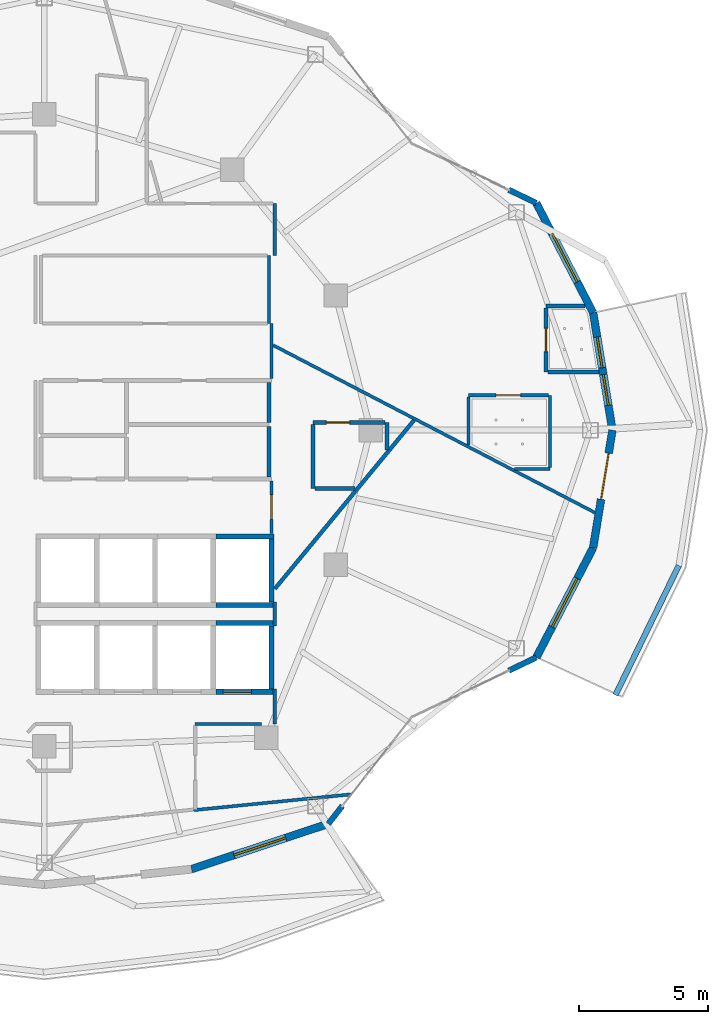
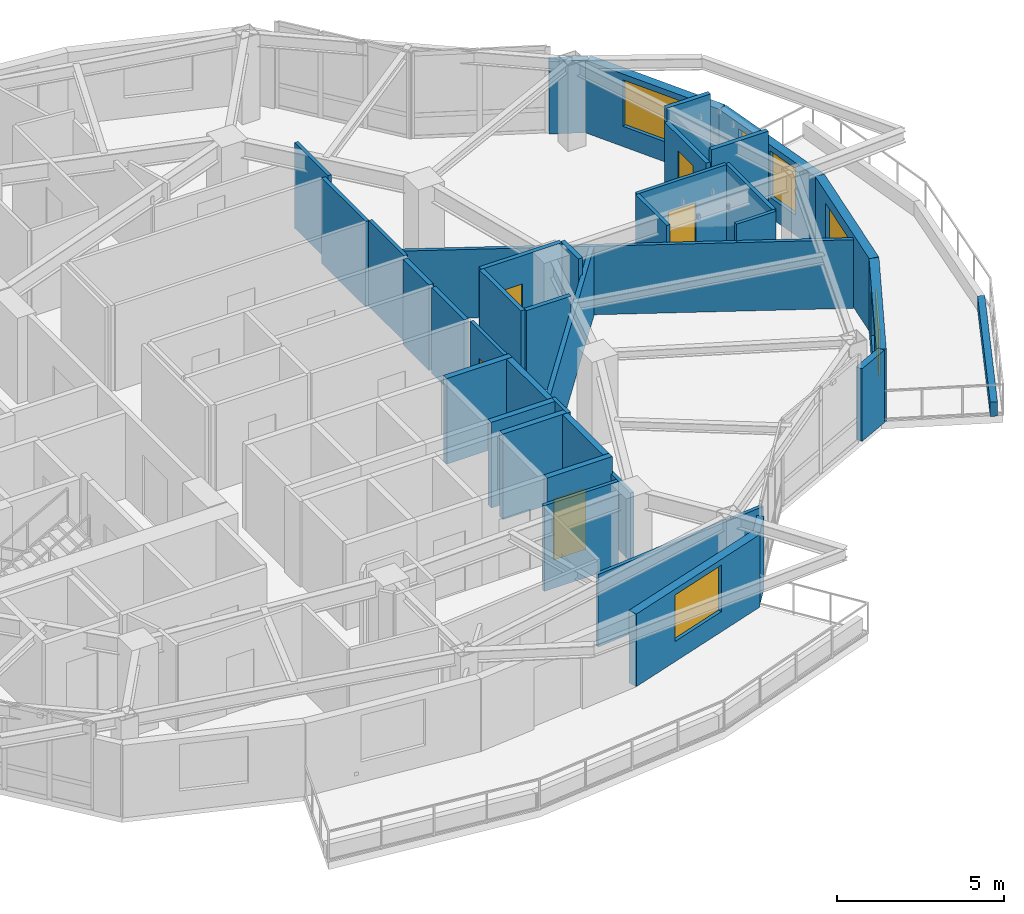
# One storey, part 11 of 18: 38 walls, 6 doors, 5 windows, 11 openings.
"""IFC4 building model written with IfcOpenShell, lengths in metres."""

from ifc_helpers import new_model, si_unit, direction, frame, frame_2d, origin, place, context, subcontext, project, spatial, rectangle, extrude, material, layer, layer_set, type_object, element, fill, save


model = new_model("IFC4")

# Units and contexts
model_context = context("Model", 3, precision=1e-05, world=origin(), true_north=direction((0.0, 1.0)))
body_context = subcontext(model_context, "Body", "Model", "MODEL_VIEW")
ifc_project = project(units=[si_unit("LENGTHUNIT", "METRE"), si_unit("AREAUNIT", "SQUARE_METRE"), si_unit("VOLUMEUNIT", "CUBIC_METRE"), si_unit("PLANEANGLEUNIT", "RADIAN"), si_unit("MASSUNIT", "GRAM", prefix="KILO")], contexts=[model_context])

# Site, building, storey
site_placement = place(None, origin())
site = spatial("IfcSite", under=ifc_project, at=site_placement, CompositionType="ELEMENT")
building_placement = place(site_placement, origin())
building = spatial("IfcBuilding", under=site, at=building_placement, Name="Kolvaren Gate Tower and Convention Centre", CompositionType="ELEMENT")
storey_placement = place(building_placement, frame((0.0, 0.0, 176.699951171875)))
storey = spatial("IfcBuildingStorey", under=building, at=storey_placement, Name="L46", CompositionType="ELEMENT", Elevation=176.699951171875)

# Walls
ifc_material_1 = material(Name="Fire-Rated Acoustic Gypsum Stud Partition", Category="gypsum")
ifc_layer_1 = layer(ifc_material_1, 0.1201171875)
ifc_layer_set_1 = layer_set([ifc_layer_1], Name="Fire-Rated Acoustic Gypsum Stud Partition")
wall_type_1 = type_object("IfcWallType", Name="ARCH-WL-PART-120", PredefinedType="PARTITIONING", material=ifc_layer_set_1)
wall_1_placement = place(storey_placement, frame((38.800048828125, 31.1201171875, 0.0), z_axis=(0.0, 0.0, 1.0), x_axis=(0.0, 1.0, 0.0)))
element("IfcWall", 1, at=wall_1_placement, inside=storey, type_object=wall_type_1, Name="Interior Partition WL-L46-INT-024", PredefinedType="PARTITIONING", context=body_context, shape_type="SweptSolid", body=[
    extrude(rectangle(XDim=2.6298828125, YDim=0.1201171875, at=frame_2d((1.31494140625, 0.0))), origin(), (0.0, 0.0, 1.0), 3.130126953125),
])
wall_2_placement = place(storey_placement, frame((39.02001953125, 15.64990234375, 0.0), z_axis=(0.0, 0.0, 1.0), x_axis=(0.0, 1.0, 0.0)))
element("IfcWall", 2, at=wall_2_placement, inside=storey, type_object=wall_type_1, Name="Interior Partition WL-L46-INT-027", PredefinedType="PARTITIONING", context=body_context, shape_type="SweptSolid", body=[
    extrude(rectangle(XDim=1.360107421875, YDim=0.1201171875, at=frame_2d((0.68017578125, 0.0))), origin(), (0.0, 0.0, 1.0), 2.505126953125),
])
wall_3_placement = place(storey_placement, frame((39.02001953125, 19.43994140625, 0.0), z_axis=(0.0, 0.0, 1.0), x_axis=(0.0, 1.0, 0.0)))
element("IfcWall", 3, at=wall_3_placement, inside=storey, type_object=wall_type_1, Name="Interior Partition WL-L46-INT-027 (2)", PredefinedType="PARTITIONING", context=body_context, shape_type="SweptSolid", body=[
    extrude(rectangle(XDim=0.920166015625, YDim=0.1201171875, at=frame_2d((0.4599609375, 0.0))), origin(), (0.0, 0.0, 1.0), 3.130126953125),
])
wall_4_placement = place(storey_placement, frame((39.02001953125, 33.75, 0.0), z_axis=(0.0, 0.0, 1.0), x_axis=(0.0, 1.0, 0.0)))
element("IfcWall", 4, at=wall_4_placement, inside=storey, type_object=wall_type_1, Name="Interior Partition WL-L46-INT-028", PredefinedType="PARTITIONING", context=body_context, shape_type="SweptSolid", body=[
    extrude(rectangle(XDim=2.0, YDim=0.1201171875, at=frame_2d((1.0, 0.0))), origin(), (0.0, 0.0, 1.0), 3.130126953125),
])
wall_5_placement = place(storey_placement, frame((35.949951171875, 15.64990234375, 0.0), z_axis=(0.0, 0.0, 1.0), x_axis=(1.0, 0.0, 0.0)))
element("IfcWall", 5, at=wall_5_placement, inside=storey, type_object=wall_type_1, Name="Interior Partition WL-L46-INT-030", PredefinedType="PARTITIONING", context=body_context, shape_type="SweptSolid", body=[
    extrude(rectangle(XDim=2.568115234375, YDim=0.1201171875, at=frame_2d((1.2841796875, 0.0))), origin(), (0.0, 0.0, 1.0), 3.130126953125),
])

# Wall, opening, door
wall_6_placement = place(storey_placement, frame((38.89990234375, 23.02001953125, 0.0), z_axis=(0.0, 0.0, 1.0), x_axis=(0.0, 1.0, 0.0)))
wall_6 = element("IfcWall", 6, at=wall_6_placement, inside=storey, type_object=wall_type_1, Name="Interior Partition WL-L46-INT-048", PredefinedType="PARTITIONING", context=body_context, shape_type="SweptSolid", body=[
    extrude(rectangle(XDim=2.02294921875, YDim=0.1201171875, at=frame_2d((1.011474609375, 0.0))), origin(), (0.0, 0.0, 1.0), 3.130126953125),
])
opening_1_placement = place(wall_6_placement, frame((0.53662109375, 0.0, 0.0)))
opening_1 = element("IfcOpeningElement", 7, at=opening_1_placement, cuts=wall_6, Name="Opening DR-01", PredefinedType="OPENING", context=body_context, shape_type="SweptSolid", body=[
    extrude(rectangle(XDim=0.949951171875, YDim=2.10009765625, at=frame_2d((0.47509765625, 1.050048828125))), frame((0.0, 0.070068359375, 0.0), z_axis=(0.0, -1.0, 0.0), x_axis=(1.0, 0.0, 0.0)), (0.0, 0.0, 1.0), 0.14013671875),
])
ifc_material_2 = material(Name="Painted Architectural Steelwork ASTM A500 Grade C 345 MPa", Category="steel")
door_type_1 = type_object("IfcDoorType", Name="ARCH-DR-RISER-950", OperationType="SINGLE_SWING_RIGHT", PredefinedType="DOOR", material=ifc_material_2)
door_1_placement = place(opening_1_placement, origin())
door_1 = element("IfcDoor", 8, at=door_1_placement, inside=storey, type_object=door_type_1, Name="Deluxe Hotel Suite (HTL-L46-04) Door", OperationType="SINGLE_SWING_RIGHT", OverallHeight=2.10009765625, OverallWidth=0.949951171875, PredefinedType="DOOR", context=body_context, shape_type="SweptSolid", body=[
    extrude(rectangle(XDim=0.949951171875, YDim=2.10009765625, at=frame_2d((0.47509765625, 1.050048828125))), frame((0.0, 0.02490234375, 0.0), z_axis=(0.0, -1.0, 0.0), x_axis=(1.0, 0.0, 0.0)), (0.0, 0.0, 1.0), 0.050048828125),
])
fill(opening_1, door_1)

# Walls
wall_7_placement = place(storey_placement, frame((38.89990234375, 28.9970703125, 0.0), z_axis=(0.0, 0.0, 1.0), x_axis=(0.0, 1.0, 0.0)))
element("IfcWall", 9, at=wall_7_placement, inside=storey, type_object=wall_type_1, Name="Interior Partition WL-L46-INT-049", PredefinedType="PARTITIONING", context=body_context, shape_type="SweptSolid", body=[
    extrude(rectangle(XDim=2.123046875, YDim=0.1201171875, at=frame_2d((1.0615234375, 0.0))), origin(), (0.0, 0.0, 1.0), 3.130126953125),
])
wall_8_placement = place(storey_placement, frame((38.9619140625, 30.28076171875, 0.0), z_axis=(0.0, 0.0, 1.0), x_axis=(0.887114590422, -0.461549242725, 0.0)))
element("IfcWall", 10, at=wall_8_placement, inside=storey, type_object=wall_type_1, Name="Interior Partition WL-L46-INT-055", PredefinedType="PARTITIONING", context=body_context, shape_type="SweptSolid", body=[
    extrude(rectangle(XDim=14.003662109375, YDim=0.1201171875, at=frame_2d((7.001953125, 0.0))), origin(), (0.0, 0.0, 1.0), 2.505126953125),
])
wall_9_placement = place(storey_placement, frame((35.890380859375, 12.327880859375, 0.0), z_axis=(0.0, 0.0, 1.0), x_axis=(0.995010176036, 0.099773491395, 0.0)))
element("IfcWall", 11, at=wall_9_placement, inside=storey, type_object=wall_type_1, Name="Interior Partition WL-L46-INT-058", PredefinedType="PARTITIONING", context=body_context, shape_type="SweptSolid", body=[
    extrude(rectangle(XDim=6.093017578125, YDim=0.1201171875, at=frame_2d((3.04638671875, 0.0))), origin(), (0.0, 0.0, 1.0), 2.653076171875),
])
wall_10_placement = place(storey_placement, frame((48.28515625, 25.5, 0.0), z_axis=(0.0, 0.0, 1.0), x_axis=(1.0, 0.0, 0.0)))
element("IfcWall", 12, at=wall_10_placement, inside=storey, type_object=wall_type_1, Name="Interior Partition WL-L46-INT-066", PredefinedType="PARTITIONING", context=body_context, shape_type="SweptSolid", body=[
    extrude(rectangle(XDim=1.36474609375, YDim=0.1201171875, at=frame_2d((0.682373046875, 0.0))), origin(), (0.0, 0.0, 1.0), 3.130126953125),
])
wall_11_placement = place(storey_placement, frame((49.64990234375, 25.56201171875, 0.0), z_axis=(0.0, 0.0, 1.0), x_axis=(0.0, 1.0, 0.0)))
element("IfcWall", 13, at=wall_11_placement, inside=storey, type_object=wall_type_1, Name="Interior Partition WL-L46-INT-067", PredefinedType="PARTITIONING", context=body_context, shape_type="SweptSolid", body=[
    extrude(rectangle(XDim=2.7880859375, YDim=0.1201171875, at=frame_2d((1.39404296875, 0.0))), origin(), (0.0, 0.0, 1.0), 3.130126953125),
])

# Wall, opening, door
wall_12_placement = place(storey_placement, frame((46.5, 28.35009765625, 0.0), z_axis=(0.0, 0.0, 1.0), x_axis=(1.0, 0.0, 0.0)))
wall_12 = element("IfcWall", 14, at=wall_12_placement, inside=storey, type_object=wall_type_1, Name="Interior Partition WL-L46-INT-068", PredefinedType="PARTITIONING", context=body_context, shape_type="SweptSolid", body=[
    extrude(rectangle(XDim=3.087890625, YDim=0.1201171875, at=frame_2d((1.5439453125, 0.0))), origin(), (0.0, 0.0, 1.0), 3.130126953125),
])
opening_2_placement = place(wall_12_placement, frame((1.069091796875, 0.0, 0.0)))
opening_2 = element("IfcOpeningElement", 15, at=opening_2_placement, cuts=wall_12, Name="Opening DI-01", PredefinedType="OPENING", context=body_context, shape_type="SweptSolid", body=[
    extrude(rectangle(XDim=0.949951171875, YDim=2.10009765625, at=frame_2d((0.47509765625, 1.050048828125))), frame((0.0, 0.070068359375, 0.0), z_axis=(0.0, -1.0, 0.0), x_axis=(1.0, 0.0, 0.0)), (0.0, 0.0, 1.0), 0.14013671875),
])
ifc_material_3 = material(Name="FSC Andean Oak Engineered Veneer Door Leaf", Category="wood")
door_type_2 = type_object("IfcDoorType", Name="ARCH-DR-INT-950", OperationType="SINGLE_SWING_LEFT", PredefinedType="DOOR", material=ifc_material_3)
door_2_placement = place(opening_2_placement, origin())
door_2 = element("IfcDoor", 16, at=door_2_placement, inside=storey, type_object=door_type_2, Name="Suite Principal Bedroom (HTL-L46-05) Door", OperationType="SINGLE_SWING_RIGHT", OverallHeight=2.10009765625, OverallWidth=0.949951171875, PredefinedType="DOOR", context=body_context, shape_type="SweptSolid", body=[
    extrude(rectangle(XDim=0.949951171875, YDim=2.10009765625, at=frame_2d((0.47509765625, 1.050048828125))), frame((0.0, 0.02490234375, 0.0), z_axis=(0.0, -1.0, 0.0), x_axis=(1.0, 0.0, 0.0)), (0.0, 0.0, 1.0), 0.050048828125),
])
fill(opening_2, door_2)

# Walls
wall_13_placement = place(storey_placement, frame((46.5, 26.4287109375, 0.0), z_axis=(0.0, 0.0, 1.0), x_axis=(0.0, 1.0, 0.0)))
element("IfcWall", 17, at=wall_13_placement, inside=storey, type_object=wall_type_1, Name="Interior Partition WL-L46-INT-069", PredefinedType="PARTITIONING", context=body_context, shape_type="SweptSolid", body=[
    extrude(rectangle(XDim=1.859375, YDim=0.1201171875, at=frame_2d((0.9296875, 0.0))), origin(), (0.0, 0.0, 1.0), 3.130126953125),
])
ifc_material_4 = material(Name="Bogota Sabana Bush-Hammered Sandstone Cladding", Category="masonry")
ifc_layer_2 = layer(ifc_material_4, 0.219970703125)
ifc_layer_set_2 = layer_set([ifc_layer_2], Name="Bogota Sabana Bush-Hammered Sandstone Cladding")
wall_type_2 = type_object("IfcWallType", Name="ARCH-WL-PIER-220", PredefinedType="SOLIDWALL", material=ifc_layer_set_2)
wall_14_placement = place(storey_placement, frame((48.05859375, 36.28662109375, 0.0), z_axis=(0.0, 0.0, 1.0), x_axis=(0.901303636532, -0.433187897769, 0.0)))
element("IfcWall", 18, at=wall_14_placement, inside=storey, type_object=wall_type_2, Name="Tower L46 Unitised Curtain Wall CW-HTL-UNIT Bay 02 Right Column Pier Wrap", PredefinedType="SOLIDWALL", context=body_context, shape_type="SweptSolid", body=[
    extrude(rectangle(XDim=1.181396484375, YDim=0.219970703125, at=frame_2d((0.5908203125, 0.0))), origin(), (0.0, 0.0, 1.0), 2.653076171875),
])
wall_15_placement = place(storey_placement, frame((41.09375, 11.80126953125, 0.0), z_axis=(0.0, 0.0, 1.0), x_axis=(0.616368366719, 0.787457958566, 0.0)))
element("IfcWall", 19, at=wall_15_placement, inside=storey, type_object=wall_type_2, Name="Tower L46 Unitised Curtain Wall CW-HTL-UNIT Bay 20 Left Column Pier Wrap", PredefinedType="SOLIDWALL", context=body_context, shape_type="SweptSolid", body=[
    extrude(rectangle(XDim=0.876220703125, YDim=0.219970703125, at=frame_2d((0.43798828125, 0.0))), origin(), (0.0, 0.0, 1.0), 2.653076171875),
])
wall_16_placement = place(storey_placement, frame((48.05859375, 17.71337890625, 0.0), z_axis=(0.0, 0.0, 1.0), x_axis=(0.901303636532, 0.433187897769, 0.0)))
element("IfcWall", 20, at=wall_16_placement, inside=storey, type_object=wall_type_2, Name="Tower L46 Unitised Curtain Wall CW-HTL-UNIT Bay 21 Right Column Pier Wrap", PredefinedType="SOLIDWALL", context=body_context, shape_type="SweptSolid", body=[
    extrude(rectangle(XDim=1.181396484375, YDim=0.219970703125, at=frame_2d((0.5908203125, 0.0))), origin(), (0.0, 0.0, 1.0), 2.653076171875),
])
ifc_material_5 = material(Name="Piedmont Cream Honed Limestone Cladding", Category="masonry")
ifc_layer_3 = layer(ifc_material_5, 0.219970703125)
ifc_layer_set_3 = layer_set([ifc_layer_3], Name="Piedmont Cream Honed Limestone Cladding")
wall_type_3 = type_object("IfcWallType", Name="ARCH-WL-PLANTER-220", PredefinedType="PARAPET", material=ifc_layer_set_3)
wall_17_placement = place(storey_placement, frame((52.180419921875, 16.778564453125, 0.0), z_axis=(0.0, 0.0, 1.0), x_axis=(0.439637174641, 0.898175458735, 0.0)))
element("IfcWall", 21, at=wall_17_placement, inside=storey, type_object=wall_type_3, Name="Vertical-Forest Balcony Stone Planter Kerb PK-L46-4.1", PredefinedType="PARAPET", context=body_context, shape_type="SweptSolid", body=[
    extrude(rectangle(XDim=5.567138671875, YDim=0.219970703125, at=frame_2d((2.78369140625, 0.0))), origin(), (0.0, 0.0, 1.0), 0.52001953125),
])
ifc_material_6 = material(Name="Autoclaved Aerated Masonry Blockwork Class 4 (4.0 MPa)", Category="masonry")
ifc_layer_4 = layer(ifc_material_6, 0.199951171875)
ifc_layer_set_4 = layer_set([ifc_layer_4], Name="Autoclaved Aerated Masonry Blockwork Class 4 (4.0 MPa)")
wall_type_4 = type_object("IfcWallType", Name="ARCH-WL-SHAFT-200", PredefinedType="SOLIDWALL", material=ifc_layer_set_4)
wall_18_placement = place(storey_placement, frame((36.75, 19.550048828125, 0.0), z_axis=(0.0, 0.0, 1.0), x_axis=(1.0, 0.0, 0.0)))
element("IfcWall", 22, at=wall_18_placement, inside=storey, type_object=wall_type_4, Name="Elevator PL-08 L46 Fire Shaft Wall N", PredefinedType="SOLIDWALL", context=body_context, shape_type="SweptSolid", body=[
    extrude(rectangle(XDim=2.25, YDim=0.199951171875, at=frame_2d((1.125, 0.0))), origin(), (0.0, 0.0, 1.0), 3.130126953125),
])

# Wall, opening, door
wall_19_placement = place(storey_placement, frame((36.75, 16.89990234375, 0.0), z_axis=(0.0, 0.0, 1.0), x_axis=(1.0, 0.0, 0.0)))
wall_19 = element("IfcWall", 23, at=wall_19_placement, inside=storey, type_object=wall_type_4, Name="Elevator PL-08 L46 Fire Shaft Wall S", PredefinedType="SOLIDWALL", context=body_context, shape_type="SweptSolid", body=[
    extrude(rectangle(XDim=2.25, YDim=0.199951171875, at=frame_2d((1.125, 0.0))), origin(), (0.0, 0.0, 1.0), 3.130126953125),
])
opening_3_placement = place(wall_19_placement, frame((0.280029296875, 0.0, 0.0)))
opening_3 = element("IfcOpeningElement", 24, at=opening_3_placement, cuts=wall_19, Name="Opening LD", PredefinedType="OPENING", context=body_context, shape_type="SweptSolid", body=[
    extrude(rectangle(XDim=1.10009765625, YDim=2.199951171875, at=frame_2d((0.550048828125, 1.10009765625))), frame((0.0, 0.10986328125, 0.0), z_axis=(0.0, -1.0, 0.0), x_axis=(1.0, 0.0, 0.0)), (0.0, 0.0, 1.0), 0.219970703125),
])
ifc_material_7 = material(Name="Brushed Stainless Steel Grade 316L", Category="steel")
door_type_3 = type_object("IfcDoorType", Name="ARCH-DR-LIFT-1100", OperationType="SLIDING_TO_LEFT", PredefinedType="DOOR", material=ifc_material_7)
door_3_placement = place(opening_3_placement, origin())
door_3 = element("IfcDoor", 25, at=door_3_placement, inside=storey, type_object=door_type_3, Name="Elevator PL-08 L46 Sliding Landing Door", OperationType="SLIDING_TO_LEFT", OverallHeight=2.199951171875, OverallWidth=1.10009765625, PredefinedType="DOOR", context=body_context, shape_type="SweptSolid", body=[
    extrude(rectangle(XDim=1.10009765625, YDim=2.199951171875, at=frame_2d((0.550048828125, 1.10009765625))), frame((0.0, 0.02490234375, 0.0), z_axis=(0.0, -1.0, 0.0), x_axis=(1.0, 0.0, 0.0)), (0.0, 0.0, 1.0), 0.050048828125),
])
fill(opening_3, door_3)

# Walls
wall_20_placement = place(storey_placement, frame((38.89990234375, 17.010009765625, 0.0), z_axis=(0.0, 0.0, 1.0), x_axis=(0.0, 1.0, 0.0)))
element("IfcWall", 26, at=wall_20_placement, inside=storey, type_object=wall_type_4, Name="Elevator PL-08 L46 Fire Shaft Wall E", PredefinedType="SOLIDWALL", context=body_context, shape_type="SweptSolid", body=[
    extrude(rectangle(XDim=2.429931640625, YDim=0.199951171875, at=frame_2d((1.21484375, 0.0))), origin(), (0.0, 0.0, 1.0), 3.130126953125),
])
for number, where, z_axis, x_axis, name in (
    (27, (36.75, 22.89990234375, 0.0), (0.0, 0.0, 1.0), (1.0, 0.0, 0.0), "Elevator PL-12 L46 Fire Shaft Wall N"),
    (28, (36.75, 20.25, 0.0), (0.0, 0.0, 1.0), (1.0, 0.0, 0.0), "Elevator PL-12 L46 Fire Shaft Wall S"),
):
    element("IfcWall", number, at=place(storey_placement, frame(where, z_axis=z_axis, x_axis=x_axis)), inside=storey, type_object=wall_type_4, Name=name, PredefinedType="SOLIDWALL", context=body_context, shape_type="SweptSolid", body=[
        extrude(rectangle(XDim=2.25, YDim=0.199951171875, at=frame_2d((1.125, 0.0))), origin(), (0.0, 0.0, 1.0), 3.130126953125),
    ])
wall_21_placement = place(storey_placement, frame((38.89990234375, 20.360107421875, 0.0), z_axis=(0.0, 0.0, 1.0), x_axis=(0.0, 1.0, 0.0)))
element("IfcWall", 29, at=wall_21_placement, inside=storey, type_object=wall_type_4, Name="Elevator PL-12 L46 Fire Shaft Wall E", PredefinedType="SOLIDWALL", context=body_context, shape_type="SweptSolid", body=[
    extrude(rectangle(XDim=2.429931640625, YDim=0.199951171875, at=frame_2d((1.21484375, 0.0))), origin(), (0.0, 0.0, 1.0), 3.130126953125),
])

# Wall, openings, windows
ifc_layer_5 = layer(ifc_material_5, 0.300048828125)
ifc_layer_set_5 = layer_set([ifc_layer_5], Name="Piedmont Cream Honed Limestone Cladding")
wall_type_5 = type_object("IfcWallType", Name="ARCH-WL-STONE-300", PredefinedType="SOLIDWALL", material=ifc_layer_set_5)
wall_22_placement = place(storey_placement, frame((51.31494140625, 31.542236328125, 0.0), z_axis=(0.0, 0.0, 1.0), x_axis=(0.162394765401, -0.986725868806, 0.0)))
wall_22 = element("IfcWall", 30, at=wall_22_placement, inside=storey, type_object=wall_type_5, Name="Tower L46 Honed Stone Spandrel Wall EW-00", PredefinedType="SOLIDWALL", context=body_context, shape_type="SweptSolid", body=[
    extrude(rectangle(XDim=4.603271484375, YDim=0.300048828125, at=frame_2d((2.3017578125, 0.0))), origin(), (0.0, 0.0, 1.0), 2.653076171875),
])
opening_4_placement = place(wall_22_placement, frame((0.957763671875, 0.0, 0.739990234375)))
opening_4 = element("IfcOpeningElement", 31, at=opening_4_placement, cuts=wall_22, Name="Opening W-04", PredefinedType="OPENING", context=body_context, shape_type="SweptSolid", body=[
    extrude(rectangle(XDim=1.199951171875, YDim=1.699951171875, at=frame_2d((0.60009765625, 0.85009765625))), frame((0.0, 0.159912109375, 0.0), z_axis=(0.0, -1.0, 0.0), x_axis=(1.0, 0.0, 0.0)), (0.0, 0.0, 1.0), 0.320068359375),
])
opening_5_placement = place(wall_22_placement, frame((2.427978515625, 0.0, 0.739990234375)))
opening_5 = element("IfcOpeningElement", 32, at=opening_5_placement, cuts=wall_22, Name="Opening W-04", PredefinedType="OPENING", context=body_context, shape_type="SweptSolid", body=[
    extrude(rectangle(XDim=1.199951171875, YDim=1.699951171875, at=frame_2d((0.60009765625, 0.85009765625))), frame((0.0, 0.159912109375, 0.0), z_axis=(0.0, -1.0, 0.0), x_axis=(1.0, 0.0, 0.0)), (0.0, 0.0, 1.0), 0.320068359375),
])
ifc_material_8 = material(Name="Low-E Triple Insulated Glazing Unit 44 mm", Category="glass")
window_type_1 = type_object("IfcWindowType", Name="ARCH-WN-NARROW-1200", PartitioningType="SINGLE_PANEL", PredefinedType="WINDOW", material=ifc_material_8)
window_1_placement = place(opening_4_placement, origin())
window_1 = element("IfcWindow", 33, at=window_1_placement, inside=storey, type_object=window_type_1, Name="Tower L46 Punched Stone Facade Window W-00", OverallHeight=1.699951171875, OverallWidth=1.199951171875, PartitioningType="SINGLE_PANEL", PredefinedType="WINDOW", context=body_context, shape_type="SweptSolid", body=[
    extrude(rectangle(XDim=1.199951171875, YDim=1.699951171875, at=frame_2d((0.60009765625, 0.85009765625))), frame((0.0, 0.030029296875, 0.0), z_axis=(0.0, -1.0, 0.0), x_axis=(1.0, 0.0, 0.0)), (0.0, 0.0, 1.0), 0.06005859375),
])
fill(opening_4, window_1)
window_2_placement = place(opening_5_placement, origin())
window_2 = element("IfcWindow", 34, at=window_2_placement, inside=storey, type_object=window_type_1, Name="Tower L46 Punched Stone Facade Window W-00B", OverallHeight=1.699951171875, OverallWidth=1.199951171875, PartitioningType="SINGLE_PANEL", PredefinedType="WINDOW", context=body_context, shape_type="SweptSolid", body=[
    extrude(rectangle(XDim=1.199951171875, YDim=1.699951171875, at=frame_2d((0.60009765625, 0.85009765625))), frame((0.0, 0.030029296875, 0.0), z_axis=(0.0, -1.0, 0.0), x_axis=(1.0, 0.0, 0.0)), (0.0, 0.0, 1.0), 0.06005859375),
])
fill(opening_5, window_2)

# Wall, opening, window
wall_23_placement = place(storey_placement, frame((49.123291015625, 35.77490234375, 0.0), z_axis=(0.0, 0.0, 1.0), x_axis=(0.459810251451, -0.888017191647, 0.0)))
wall_23 = element("IfcWall", 35, at=wall_23_placement, inside=storey, type_object=wall_type_5, Name="Tower L46 Honed Stone Spandrel Wall EW-01", PredefinedType="SOLIDWALL", context=body_context, shape_type="SweptSolid", body=[
    extrude(rectangle(XDim=4.766357421875, YDim=0.300048828125, at=frame_2d((2.38330078125, 0.0))), origin(), (0.0, 0.0, 1.0), 2.653076171875),
])
opening_6_placement = place(wall_23_placement, frame((1.3330078125, 0.0, 0.739990234375)))
opening_6 = element("IfcOpeningElement", 36, at=opening_6_placement, cuts=wall_23, Name="Opening W-02", PredefinedType="OPENING", context=body_context, shape_type="SweptSolid", body=[
    extrude(rectangle(XDim=2.10009765625, YDim=1.699951171875, at=frame_2d((1.050048828125, 0.85009765625))), frame((0.0, 0.159912109375, 0.0), z_axis=(0.0, -1.0, 0.0), x_axis=(1.0, 0.0, 0.0)), (0.0, 0.0, 1.0), 0.320068359375),
])
window_type_2 = type_object("IfcWindowType", Name="ARCH-WN-HTL-2100", PartitioningType="SINGLE_PANEL", PredefinedType="WINDOW", material=ifc_material_8)
window_3_placement = place(opening_6_placement, origin())
window_3 = element("IfcWindow", 37, at=window_3_placement, inside=storey, type_object=window_type_2, Name="Tower L46 Punched Stone Facade Window W-01", OverallHeight=1.699951171875, OverallWidth=2.10009765625, PartitioningType="SINGLE_PANEL", PredefinedType="WINDOW", context=body_context, shape_type="SweptSolid", body=[
    extrude(rectangle(XDim=2.10009765625, YDim=1.699951171875, at=frame_2d((1.050048828125, 0.85009765625))), frame((0.0, 0.030029296875, 0.0), z_axis=(0.0, -1.0, 0.0), x_axis=(1.0, 0.0, 0.0)), (0.0, 0.0, 1.0), 0.06005859375),
])
fill(opening_6, window_3)

wall_24_placement = place(storey_placement, frame((35.802734375, 10.048095703125, 0.0), z_axis=(0.0, 0.0, 1.0), x_axis=(0.949246811547, 0.314532177636, 0.0)))
wall_24 = element("IfcWall", 38, at=wall_24_placement, inside=storey, type_object=wall_type_5, Name="Tower L46 Honed Stone Spandrel Wall EW-19", PredefinedType="SOLIDWALL", context=body_context, shape_type="SweptSolid", body=[
    extrude(rectangle(XDim=5.573974609375, YDim=0.300048828125, at=frame_2d((2.787109375, 0.0))), origin(), (0.0, 0.0, 1.0), 2.653076171875),
])
opening_7_placement = place(wall_24_placement, frame((1.737060546875, 0.0, 0.739990234375)))
opening_7 = element("IfcOpeningElement", 39, at=opening_7_placement, cuts=wall_24, Name="Opening W-02", PredefinedType="OPENING", context=body_context, shape_type="SweptSolid", body=[
    extrude(rectangle(XDim=2.10009765625, YDim=1.699951171875, at=frame_2d((1.050048828125, 0.85009765625))), frame((0.0, 0.159912109375, 0.0), z_axis=(0.0, -1.0, 0.0), x_axis=(1.0, 0.0, 0.0)), (0.0, 0.0, 1.0), 0.320068359375),
])
window_4_placement = place(opening_7_placement, origin())
window_4 = element("IfcWindow", 40, at=window_4_placement, inside=storey, type_object=window_type_2, Name="Tower L46 Punched Stone Facade Window W-19", OverallHeight=1.699951171875, OverallWidth=2.10009765625, PartitioningType="SINGLE_PANEL", PredefinedType="WINDOW", context=body_context, shape_type="SweptSolid", body=[
    extrude(rectangle(XDim=2.10009765625, YDim=1.699951171875, at=frame_2d((1.050048828125, 0.85009765625))), frame((0.0, 0.030029296875, 0.0), z_axis=(0.0, -1.0, 0.0), x_axis=(1.0, 0.0, 0.0)), (0.0, 0.0, 1.0), 0.06005859375),
])
fill(opening_7, window_4)

wall_25_placement = place(storey_placement, frame((49.123291015625, 18.22509765625, 0.0), z_axis=(0.0, 0.0, 1.0), x_axis=(0.459810251451, 0.888017191647, 0.0)))
wall_25 = element("IfcWall", 41, at=wall_25_placement, inside=storey, type_object=wall_type_5, Name="Tower L46 Honed Stone Spandrel Wall EW-22", PredefinedType="SOLIDWALL", context=body_context, shape_type="SweptSolid", body=[
    extrude(rectangle(XDim=4.766357421875, YDim=0.300048828125, at=frame_2d((2.38330078125, 0.0))), origin(), (0.0, 0.0, 1.0), 2.653076171875),
])
opening_8_placement = place(wall_25_placement, frame((1.3330078125, 0.0, 0.739990234375)))
opening_8 = element("IfcOpeningElement", 42, at=opening_8_placement, cuts=wall_25, Name="Opening W-02", PredefinedType="OPENING", context=body_context, shape_type="SweptSolid", body=[
    extrude(rectangle(XDim=2.10009765625, YDim=1.699951171875, at=frame_2d((1.050048828125, 0.85009765625))), frame((0.0, 0.159912109375, 0.0), z_axis=(0.0, -1.0, 0.0), x_axis=(1.0, 0.0, 0.0)), (0.0, 0.0, 1.0), 0.320068359375),
])
window_5_placement = place(opening_8_placement, origin())
window_5 = element("IfcWindow", 43, at=window_5_placement, inside=storey, type_object=window_type_2, Name="Tower L46 Punched Stone Facade Window W-22", OverallHeight=1.699951171875, OverallWidth=2.10009765625, PartitioningType="SINGLE_PANEL", PredefinedType="WINDOW", context=body_context, shape_type="SweptSolid", body=[
    extrude(rectangle(XDim=2.10009765625, YDim=1.699951171875, at=frame_2d((1.050048828125, 0.85009765625))), frame((0.0, 0.030029296875, 0.0), z_axis=(0.0, -1.0, 0.0), x_axis=(1.0, 0.0, 0.0)), (0.0, 0.0, 1.0), 0.06005859375),
])
fill(opening_8, window_5)

# Wall, opening, door
wall_26_placement = place(storey_placement, frame((51.31494140625, 22.457763671875, 0.0), z_axis=(0.0, 0.0, 1.0), x_axis=(0.162394765401, 0.986725868806, 0.0)))
wall_26 = element("IfcWall", 44, at=wall_26_placement, inside=storey, type_object=wall_type_5, Name="Tower L46 Honed Stone Spandrel Wall EW-23", PredefinedType="SOLIDWALL", context=body_context, shape_type="SweptSolid", body=[
    extrude(rectangle(XDim=4.603271484375, YDim=0.300048828125, at=frame_2d((2.3017578125, 0.0))), origin(), (0.0, 0.0, 1.0), 2.653076171875),
])
opening_9_placement = place(wall_26_placement, frame((1.89990234375, 0.0, 0.0)))
opening_9 = element("IfcOpeningElement", 45, at=opening_9_placement, cuts=wall_26, Name="Opening DB-01", PredefinedType="OPENING", context=body_context, shape_type="SweptSolid", body=[
    extrude(rectangle(XDim=1.800048828125, YDim=2.25, at=frame_2d((0.89990234375, 1.125))), frame((0.0, 0.159912109375, 0.0), z_axis=(0.0, -1.0, 0.0), x_axis=(1.0, 0.0, 0.0)), (0.0, 0.0, 1.0), 0.320068359375),
])
ifc_material_9 = material(Name="Anodized Architectural Aluminium Alloy 6063-T6", Category="aluminium")
door_type_4 = type_object("IfcDoorType", Name="ARCH-DR-BALC-1800", OperationType="SLIDING_TO_LEFT", PredefinedType="DOOR", material=ifc_material_9)
door_4_placement = place(opening_9_placement, frame((1.800048828125, 0.0, 0.0), z_axis=(0.0, 0.0, 1.0), x_axis=(-1.0, 0.0, 0.0)))
door_4 = element("IfcDoor", 46, at=door_4_placement, inside=storey, type_object=door_type_4, Name="Planted Sky Terrace Access Door DB-L46-23", OperationType="SLIDING_TO_LEFT", OverallHeight=2.25, OverallWidth=1.800048828125, PredefinedType="DOOR", context=body_context, shape_type="SweptSolid", body=[
    extrude(rectangle(XDim=1.800048828125, YDim=2.25, at=frame_2d((0.89990234375, 1.125))), frame((0.0, 0.02490234375, 0.0), z_axis=(0.0, -1.0, 0.0), x_axis=(1.0, 0.0, 0.0)), (0.0, 0.0, 1.0), 0.050048828125),
])
fill(opening_9, door_4)

# Walls
ifc_material_10 = material(Name="Moisture-Resistant Cement-Board Acoustic Partition", Category="gypsum")
ifc_layer_6 = layer(ifc_material_10, 0.14990234375)
ifc_layer_set_6 = layer_set([ifc_layer_6], Name="Moisture-Resistant Cement-Board Acoustic Partition")
wall_type_6 = type_object("IfcWallType", Name="ARCH-WL-WET-150", PredefinedType="PARTITIONING", material=ifc_layer_set_6)
wall_27_placement = place(storey_placement, frame((38.800048828125, 25.197021484375, 0.0), z_axis=(0.0, 0.0, 1.0), x_axis=(0.0, 1.0, 0.0)))
element("IfcWall", 47, at=wall_27_placement, inside=storey, type_object=wall_type_6, Name="Interior Partition WL-L46-INT-023", PredefinedType="PARTITIONING", context=body_context, shape_type="SweptSolid", body=[
    extrude(rectangle(XDim=1.946044921875, YDim=0.14990234375, at=frame_2d((0.97314453125, 0.0))), origin(), (0.0, 0.0, 1.0), 3.130126953125),
])
wall_28_placement = place(storey_placement, frame((38.800048828125, 27.297119140625, 0.0), z_axis=(0.0, 0.0, 1.0), x_axis=(0.0, 1.0, 0.0)))
element("IfcWall", 48, at=wall_28_placement, inside=storey, type_object=wall_type_6, Name="Interior Partition WL-L46-INT-023 (2)", PredefinedType="PARTITIONING", context=body_context, shape_type="SweptSolid", body=[
    extrude(rectangle(XDim=1.5458984375, YDim=0.14990234375, at=frame_2d((0.77294921875, 0.0))), origin(), (0.0, 0.0, 1.0), 3.130126953125),
])
wall_29_placement = place(storey_placement, frame((39.0234375, 20.874267578125, 0.0), z_axis=(0.0, 0.0, 1.0), x_axis=(0.636698291185, 0.771113017658, 0.0)))
element("IfcWall", 49, at=wall_29_placement, inside=storey, type_object=wall_type_6, Name="Interior Partition WL-L46-INT-057", PredefinedType="PARTITIONING", context=body_context, shape_type="SweptSolid", body=[
    extrude(rectangle(XDim=8.4404296875, YDim=0.14990234375, at=frame_2d((4.22021484375, 0.0))), origin(), (0.0, 0.0, 1.0), 2.505126953125),
])
wall_30_placement = place(storey_placement, frame((43.35009765625, 26.2353515625, 0.0), z_axis=(0.0, 0.0, 1.0), x_axis=(0.0, 1.0, 0.0)))
element("IfcWall", 50, at=wall_30_placement, inside=storey, type_object=wall_type_6, Name="Interior Partition WL-L46-INT-059", PredefinedType="PARTITIONING", context=body_context, shape_type="SweptSolid", body=[
    extrude(rectangle(XDim=1.064697265625, YDim=0.14990234375, at=frame_2d((0.5322265625, 0.0))), origin(), (0.0, 0.0, 1.0), 3.130126953125),
])

# Wall, opening, door
wall_31_placement = place(storey_placement, frame((40.5, 27.300048828125, 0.0), z_axis=(0.0, 0.0, 1.0), x_axis=(1.0, 0.0, 0.0)))
wall_31 = element("IfcWall", 51, at=wall_31_placement, inside=storey, type_object=wall_type_6, Name="Interior Partition WL-L46-INT-060", PredefinedType="PARTITIONING", context=body_context, shape_type="SweptSolid", body=[
    extrude(rectangle(XDim=2.77294921875, YDim=0.14990234375, at=frame_2d((1.386474609375, 0.0))), origin(), (0.0, 0.0, 1.0), 3.130126953125),
])
opening_10_placement = place(wall_31_placement, frame((0.5166015625, 0.0, 0.0)))
opening_10 = element("IfcOpeningElement", 52, at=opening_10_placement, cuts=wall_31, Name="Opening DW-01", PredefinedType="OPENING", context=body_context, shape_type="SweptSolid", body=[
    extrude(rectangle(XDim=0.89990234375, YDim=2.10009765625, at=frame_2d((0.449951171875, 1.050048828125))), frame((0.0, 0.0849609375, 0.0), z_axis=(0.0, -1.0, 0.0), x_axis=(1.0, 0.0, 0.0)), (0.0, 0.0, 1.0), 0.169921875),
])
door_type_5 = type_object("IfcDoorType", Name="ARCH-DR-WC-900", OperationType="SINGLE_SWING_RIGHT", PredefinedType="DOOR", material=ifc_material_3)
door_5_placement = place(opening_10_placement, origin())
door_5 = element("IfcDoor", 53, at=door_5_placement, inside=storey, type_object=door_type_5, Name="En-suite Bathroom (HTL-L46-04) Door", OperationType="SINGLE_SWING_LEFT", OverallHeight=2.10009765625, OverallWidth=0.89990234375, PredefinedType="DOOR", context=body_context, shape_type="SweptSolid", body=[
    extrude(rectangle(XDim=0.89990234375, YDim=2.10009765625, at=frame_2d((0.449951171875, 1.050048828125))), frame((0.0, 0.02490234375, 0.0), z_axis=(0.0, -1.0, 0.0), x_axis=(1.0, 0.0, 0.0)), (0.0, 0.0, 1.0), 0.050048828125),
])
fill(opening_10, door_5)

# Walls
wall_32_placement = place(storey_placement, frame((40.5, 24.75, 0.0), z_axis=(0.0, 0.0, 1.0), x_axis=(0.0, 1.0, 0.0)))
element("IfcWall", 54, at=wall_32_placement, inside=storey, type_object=wall_type_6, Name="Interior Partition WL-L46-INT-061", PredefinedType="PARTITIONING", context=body_context, shape_type="SweptSolid", body=[
    extrude(rectangle(XDim=2.472900390625, YDim=0.14990234375, at=frame_2d((1.236328125, 0.0))), origin(), (0.0, 0.0, 1.0), 3.130126953125),
])
wall_33_placement = place(storey_placement, frame((40.576904296875, 24.75, 0.0), z_axis=(0.0, 0.0, 1.0), x_axis=(1.0, 0.0, 0.0)))
element("IfcWall", 55, at=wall_33_placement, inside=storey, type_object=wall_type_6, Name="Interior Partition WL-L46-INT-062", PredefinedType="PARTITIONING", context=body_context, shape_type="SweptSolid", body=[
    extrude(rectangle(XDim=1.546875, YDim=0.14990234375, at=frame_2d((0.7734375, 0.0))), origin(), (0.0, 0.0, 1.0), 3.130126953125),
])
wall_34_placement = place(storey_placement, frame((49.5, 31.800048828125, 0.0), z_axis=(0.0, 0.0, 1.0), x_axis=(1.0, 0.0, 0.0)))
element("IfcWall", 56, at=wall_34_placement, inside=storey, type_object=wall_type_6, Name="Interior Partition WL-L46-INT-063", PredefinedType="PARTITIONING", context=body_context, shape_type="SweptSolid", body=[
    extrude(rectangle(XDim=1.510498046875, YDim=0.14990234375, at=frame_2d((0.75537109375, 0.0))), origin(), (0.0, 0.0, 1.0), 3.130126953125),
])

# Wall, opening, door
wall_35_placement = place(storey_placement, frame((49.5, 29.25, 0.0), z_axis=(0.0, 0.0, 1.0), x_axis=(0.0, 1.0, 0.0)))
wall_35 = element("IfcWall", 57, at=wall_35_placement, inside=storey, type_object=wall_type_6, Name="Interior Partition WL-L46-INT-064", PredefinedType="PARTITIONING", context=body_context, shape_type="SweptSolid", body=[
    extrude(rectangle(XDim=2.472900390625, YDim=0.14990234375, at=frame_2d((1.236328125, 0.0))), origin(), (0.0, 0.0, 1.0), 2.653076171875),
])
opening_11_placement = place(wall_35_placement, frame((0.78662109375, 0.0, 0.0)))
opening_11 = element("IfcOpeningElement", 58, at=opening_11_placement, cuts=wall_35, Name="Opening DW-01", PredefinedType="OPENING", context=body_context, shape_type="SweptSolid", body=[
    extrude(rectangle(XDim=0.89990234375, YDim=2.10009765625, at=frame_2d((0.449951171875, 1.050048828125))), frame((0.0, 0.0849609375, 0.0), z_axis=(0.0, -1.0, 0.0), x_axis=(1.0, 0.0, 0.0)), (0.0, 0.0, 1.0), 0.169921875),
])
door_6_placement = place(opening_11_placement, origin())
door_6 = element("IfcDoor", 59, at=door_6_placement, inside=storey, type_object=door_type_5, Name="En-suite Bathroom (HTL-L46-05) Door", OperationType="SINGLE_SWING_LEFT", OverallHeight=2.10009765625, OverallWidth=0.89990234375, PredefinedType="DOOR", context=body_context, shape_type="SweptSolid", body=[
    extrude(rectangle(XDim=0.89990234375, YDim=2.10009765625, at=frame_2d((0.449951171875, 1.050048828125))), frame((0.0, 0.02490234375, 0.0), z_axis=(0.0, -1.0, 0.0), x_axis=(1.0, 0.0, 0.0)), (0.0, 0.0, 1.0), 0.050048828125),
])
fill(opening_11, door_6)

# Wall
wall_36_placement = place(storey_placement, frame((49.576904296875, 29.25, 0.0), z_axis=(0.0, 0.0, 1.0), x_axis=(1.0, 0.0, 0.0)))
element("IfcWall", 60, at=wall_36_placement, inside=storey, type_object=wall_type_6, Name="Interior Partition WL-L46-INT-065", PredefinedType="PARTITIONING", context=body_context, shape_type="SweptSolid", body=[
    extrude(rectangle(XDim=1.961181640625, YDim=0.14990234375, at=frame_2d((0.98046875, 0.0))), origin(), (0.0, 0.0, 1.0), 3.130126953125),
])

save(model, "model.ifc")
